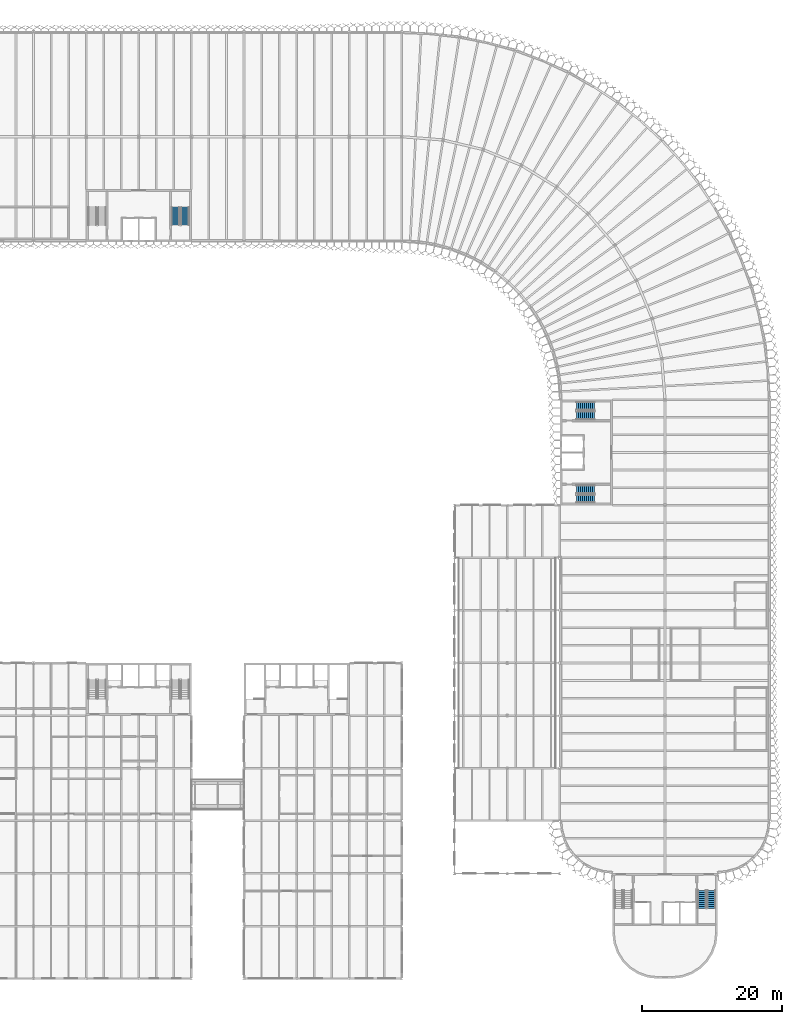
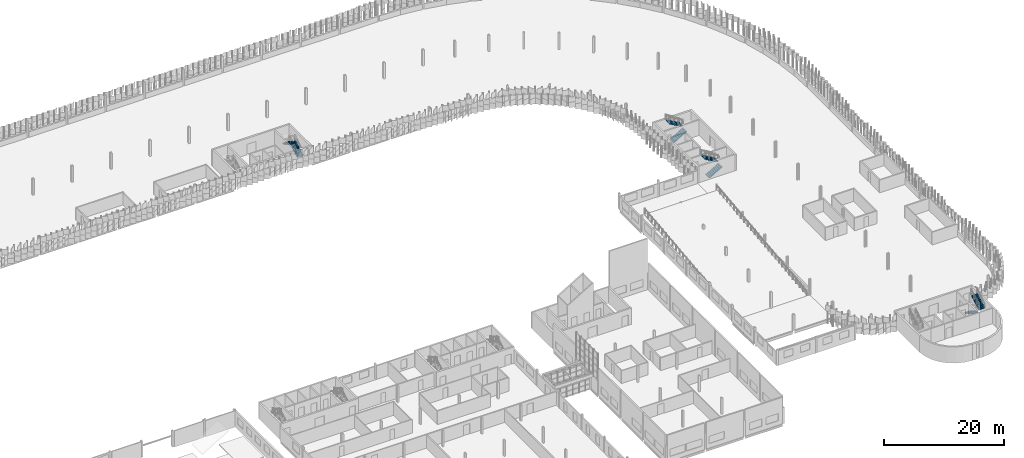
# One storey, part 62 of 198: 8 stair flights, 4 elements without a shape of their own.
"""IFC4 building model written with IfcOpenShell, lengths in metres."""

from ifc_helpers import new_model, si_unit, direction, frame, origin, place, context, subcontext, project, spatial, polyline, outline, extrude, material, type_object, element, aggregate, save


model = new_model("IFC4")

# Units and contexts
model_context = context("Model", 3, precision=1e-05, world=origin(), true_north=direction((0.0, 1.0)))
body_context = subcontext(model_context, "Body", "Model", "MODEL_VIEW")
ifc_project = project(units=[si_unit("LENGTHUNIT", "METRE"), si_unit("AREAUNIT", "SQUARE_METRE"), si_unit("VOLUMEUNIT", "CUBIC_METRE"), si_unit("PLANEANGLEUNIT", "RADIAN"), si_unit("MASSUNIT", "GRAM", prefix="KILO")], contexts=[model_context])

# Site, building, storey
site_placement = place(None, origin())
site = spatial("IfcSite", under=ifc_project, at=site_placement, CompositionType="ELEMENT")
building_placement = place(site_placement, origin())
building = spatial("IfcBuilding", under=site, at=building_placement, Name="Parallax Yard Mobility Hub", CompositionType="ELEMENT")
storey_placement = place(building_placement, frame((0.0, 0.0, 6.60009765625)))
storey = spatial("IfcBuildingStorey", under=building, at=storey_placement, Name="L02", CompositionType="ELEMENT", Elevation=6.60009765625)

# Stair, stair flights
ifc_material = material(Name="Concrete fc' 35 MPa", Category="concrete")
stair_type = type_object("IfcStairType", Name="Exit stair 1200 dog-leg", PredefinedType="HALF_TURN_STAIR", material=ifc_material)
stair_1_placement = place(storey_placement, origin())
stair_1 = element("IfcStair", 1, at=stair_1_placement, inside=storey, type_object=stair_type, Name="L02 Exit stair 1 of core C-N2", PredefinedType="HALF_TURN_STAIR")
stair_flight_type = type_object("IfcStairFlightType", Name="Exit stair flight 1200", PredefinedType="STRAIGHT", material=ifc_material)
stair_flight_1_placement = place(storey_placement, frame((141.60009765625, 114.89990234375, 0.0), z_axis=(0.0, 0.0, 1.0), x_axis=(0.0, 1.0, 0.0)))
stair_flight_1 = element("IfcStairFlight", 2, at=stair_flight_1_placement, type_object=stair_flight_type, Name="ST5 flight 1", NumberOfRisers=10, NumberOfTreads=9, PredefinedType="STRAIGHT", RiserHeight=0.165, TreadLength=0.285, context=body_context, shape_type="SweptSolid", body=[
    extrude(outline(polyline([(0.0, 0.0), (0.0, 0.1650390625), (0.284912109375, 0.1650390625), (0.284912109375, 0.330078125), (0.570068359375, 0.330078125), (0.570068359375, 0.4951171875), (0.85498046875, 0.4951171875), (0.85498046875, 0.659912109375), (1.139892578125, 0.659912109375), (1.139892578125, 0.824951171875), (1.425048828125, 0.824951171875), (1.425048828125, 0.989990234375), (1.7099609375, 0.989990234375), (1.7099609375, 1.155029296875), (1.9951171875, 1.155029296875), (1.9951171875, 1.320068359375), (2.280029296875, 1.320068359375), (2.280029296875, 1.485107421875), (2.56494140625, 1.485107421875), (2.56494140625, 1.64990234375), (2.56494140625, 1.311767578125), (0.299072265625, 0.0), (0.0, 0.0)])), frame((0.0, 0.60009765625, 0.0), z_axis=(0.0, -1.0, 0.0), x_axis=(1.0, 0.0, 0.0)), (0.0, 0.0, 1.0), 1.199951171875),
])
stair_flight_2_placement = place(storey_placement, frame((140.25, 117.465087890625, 1.64990234375), z_axis=(0.0, 0.0, 1.0), x_axis=(0.0, -1.0, 0.0)))
stair_flight_2 = element("IfcStairFlight", 3, at=stair_flight_2_placement, type_object=stair_flight_type, Name="ST5 flight 2", NumberOfRisers=10, NumberOfTreads=9, PredefinedType="STRAIGHT", RiserHeight=0.165, TreadLength=0.285, context=body_context, shape_type="SweptSolid", body=[
    extrude(outline(polyline([(0.0, 0.0), (0.0, 0.1650390625), (0.284912109375, 0.1650390625), (0.284912109375, 0.330078125), (0.570068359375, 0.330078125), (0.570068359375, 0.4951171875), (0.85498046875, 0.4951171875), (0.85498046875, 0.659912109375), (1.139892578125, 0.659912109375), (1.139892578125, 0.824951171875), (1.425048828125, 0.824951171875), (1.425048828125, 0.989990234375), (1.7099609375, 0.989990234375), (1.7099609375, 1.155029296875), (1.9951171875, 1.155029296875), (1.9951171875, 1.320068359375), (2.280029296875, 1.320068359375), (2.280029296875, 1.485107421875), (2.56494140625, 1.485107421875), (2.56494140625, 1.64990234375), (2.56494140625, 1.311767578125), (0.299072265625, 0.0), (0.0, 0.0)])), frame((0.0, 0.60009765625, 0.0), z_axis=(0.0, -1.0, 0.0), x_axis=(1.0, 0.0, 0.0)), (0.0, 0.0, 1.0), 1.199951171875),
])
aggregate(stair_1, [stair_flight_1, stair_flight_2])

stair_2_placement = place(storey_placement, origin())
stair_2 = element("IfcStair", 4, at=stair_2_placement, inside=storey, type_object=stair_type, Name="L02 Exit stair 1 of core C-E", PredefinedType="HALF_TURN_STAIR")
stair_flight_3_placement = place(storey_placement, frame((197.39990234375, 75.89990234375, 0.0), z_axis=(0.0, 0.0, 1.0), x_axis=(1.0, 0.0, 0.0)))
stair_flight_3 = element("IfcStairFlight", 5, at=stair_flight_3_placement, type_object=stair_flight_type, Name="ST7 flight 1", NumberOfRisers=10, NumberOfTreads=9, PredefinedType="STRAIGHT", RiserHeight=0.165, TreadLength=0.285, context=body_context, shape_type="SweptSolid", body=[
    extrude(outline(polyline([(0.0, 0.0), (0.0, 0.1650390625), (0.284912109375, 0.1650390625), (0.284912109375, 0.330078125), (0.570068359375, 0.330078125), (0.570068359375, 0.4951171875), (0.85498046875, 0.4951171875), (0.85498046875, 0.659912109375), (1.139892578125, 0.659912109375), (1.139892578125, 0.824951171875), (1.425048828125, 0.824951171875), (1.425048828125, 0.989990234375), (1.7099609375, 0.989990234375), (1.7099609375, 1.155029296875), (1.9951171875, 1.155029296875), (1.9951171875, 1.320068359375), (2.280029296875, 1.320068359375), (2.280029296875, 1.485107421875), (2.56494140625, 1.485107421875), (2.56494140625, 1.64990234375), (2.56494140625, 1.311767578125), (0.299072265625, 0.0), (0.0, 0.0)])), frame((0.0, 0.60009765625, 0.0), z_axis=(0.0, -1.0, 0.0), x_axis=(1.0, 0.0, 0.0)), (0.0, 0.0, 1.0), 1.199951171875),
])
stair_flight_4_placement = place(storey_placement, frame((199.965087890625, 77.25, 1.64990234375), z_axis=(0.0, 0.0, 1.0), x_axis=(-1.0, 0.0, 0.0)))
stair_flight_4 = element("IfcStairFlight", 6, at=stair_flight_4_placement, type_object=stair_flight_type, Name="ST7 flight 2", NumberOfRisers=10, NumberOfTreads=9, PredefinedType="STRAIGHT", RiserHeight=0.165, TreadLength=0.285, context=body_context, shape_type="SweptSolid", body=[
    extrude(outline(polyline([(0.0, 0.0), (0.0, 0.1650390625), (0.284912109375, 0.1650390625), (0.284912109375, 0.330078125), (0.570068359375, 0.330078125), (0.570068359375, 0.4951171875), (0.85498046875, 0.4951171875), (0.85498046875, 0.659912109375), (1.139892578125, 0.659912109375), (1.139892578125, 0.824951171875), (1.425048828125, 0.824951171875), (1.425048828125, 0.989990234375), (1.7099609375, 0.989990234375), (1.7099609375, 1.155029296875), (1.9951171875, 1.155029296875), (1.9951171875, 1.320068359375), (2.280029296875, 1.320068359375), (2.280029296875, 1.485107421875), (2.56494140625, 1.485107421875), (2.56494140625, 1.64990234375), (2.56494140625, 1.311767578125), (0.299072265625, 0.0), (0.0, 0.0)])), frame((0.0, 0.60009765625, 0.0), z_axis=(0.0, -1.0, 0.0), x_axis=(1.0, 0.0, 0.0)), (0.0, 0.0, 1.0), 1.199951171875),
])
aggregate(stair_2, [stair_flight_3, stair_flight_4])

stair_3_placement = place(storey_placement, origin())
stair_3 = element("IfcStair", 7, at=stair_3_placement, inside=storey, type_object=stair_type, Name="L02 Exit stair 2 of core C-E", PredefinedType="HALF_TURN_STAIR")
stair_flight_5_placement = place(storey_placement, frame((197.39990234375, 87.75, 0.0), z_axis=(0.0, 0.0, 1.0), x_axis=(1.0, 0.0, 0.0)))
stair_flight_5 = element("IfcStairFlight", 8, at=stair_flight_5_placement, type_object=stair_flight_type, Name="ST8 flight 1", NumberOfRisers=10, NumberOfTreads=9, PredefinedType="STRAIGHT", RiserHeight=0.165, TreadLength=0.285, context=body_context, shape_type="SweptSolid", body=[
    extrude(outline(polyline([(0.0, 0.0), (0.0, 0.1650390625), (0.284912109375, 0.1650390625), (0.284912109375, 0.330078125), (0.570068359375, 0.330078125), (0.570068359375, 0.4951171875), (0.85498046875, 0.4951171875), (0.85498046875, 0.659912109375), (1.139892578125, 0.659912109375), (1.139892578125, 0.824951171875), (1.425048828125, 0.824951171875), (1.425048828125, 0.989990234375), (1.7099609375, 0.989990234375), (1.7099609375, 1.155029296875), (1.9951171875, 1.155029296875), (1.9951171875, 1.320068359375), (2.280029296875, 1.320068359375), (2.280029296875, 1.485107421875), (2.56494140625, 1.485107421875), (2.56494140625, 1.64990234375), (2.56494140625, 1.311767578125), (0.299072265625, 0.0), (0.0, 0.0)])), frame((0.0, 0.60009765625, 0.0), z_axis=(0.0, -1.0, 0.0), x_axis=(1.0, 0.0, 0.0)), (0.0, 0.0, 1.0), 1.199951171875),
])
stair_flight_6_placement = place(storey_placement, frame((199.965087890625, 89.10009765625, 1.64990234375), z_axis=(0.0, 0.0, 1.0), x_axis=(-1.0, 0.0, 0.0)))
stair_flight_6 = element("IfcStairFlight", 9, at=stair_flight_6_placement, type_object=stair_flight_type, Name="ST8 flight 2", NumberOfRisers=10, NumberOfTreads=9, PredefinedType="STRAIGHT", RiserHeight=0.165, TreadLength=0.285, context=body_context, shape_type="SweptSolid", body=[
    extrude(outline(polyline([(0.0, 0.0), (0.0, 0.1650390625), (0.284912109375, 0.1650390625), (0.284912109375, 0.330078125), (0.570068359375, 0.330078125), (0.570068359375, 0.4951171875), (0.85498046875, 0.4951171875), (0.85498046875, 0.659912109375), (1.139892578125, 0.659912109375), (1.139892578125, 0.824951171875), (1.425048828125, 0.824951171875), (1.425048828125, 0.989990234375), (1.7099609375, 0.989990234375), (1.7099609375, 1.155029296875), (1.9951171875, 1.155029296875), (1.9951171875, 1.320068359375), (2.280029296875, 1.320068359375), (2.280029296875, 1.485107421875), (2.56494140625, 1.485107421875), (2.56494140625, 1.64990234375), (2.56494140625, 1.311767578125), (0.299072265625, 0.0), (0.0, 0.0)])), frame((0.0, 0.60009765625, 0.0), z_axis=(0.0, -1.0, 0.0), x_axis=(1.0, 0.0, 0.0)), (0.0, 0.0, 1.0), 1.199951171875),
])
aggregate(stair_3, [stair_flight_5, stair_flight_6])

stair_4_placement = place(storey_placement, origin())
stair_4 = element("IfcStair", 10, at=stair_4_placement, inside=storey, type_object=stair_type, Name="L02 Exit stair 1 of core C-S", PredefinedType="HALF_TURN_STAIR")
stair_flight_7_placement = place(storey_placement, frame((215.25, 20.10009765625, 0.0), z_axis=(0.0, 0.0, 1.0), x_axis=(0.0, -1.0, 0.0)))
stair_flight_7 = element("IfcStairFlight", 11, at=stair_flight_7_placement, type_object=stair_flight_type, Name="ST9 flight 1", NumberOfRisers=10, NumberOfTreads=9, PredefinedType="STRAIGHT", RiserHeight=0.165, TreadLength=0.285, context=body_context, shape_type="SweptSolid", body=[
    extrude(outline(polyline([(0.0, 0.0), (0.0, 0.1650390625), (0.284912109375, 0.1650390625), (0.284912109375, 0.330078125), (0.570068359375, 0.330078125), (0.570068359375, 0.4951171875), (0.85498046875, 0.4951171875), (0.85498046875, 0.659912109375), (1.139892578125, 0.659912109375), (1.139892578125, 0.824951171875), (1.425048828125, 0.824951171875), (1.425048828125, 0.989990234375), (1.7099609375, 0.989990234375), (1.7099609375, 1.155029296875), (1.9951171875, 1.155029296875), (1.9951171875, 1.320068359375), (2.280029296875, 1.320068359375), (2.280029296875, 1.485107421875), (2.56494140625, 1.485107421875), (2.56494140625, 1.64990234375), (2.56494140625, 1.311767578125), (0.299072265625, 0.0), (0.0, 0.0)])), frame((0.0, 0.60009765625, 0.0), z_axis=(0.0, -1.0, 0.0), x_axis=(1.0, 0.0, 0.0)), (0.0, 0.0, 1.0), 1.199951171875),
])
stair_flight_8_placement = place(storey_placement, frame((216.60009765625, 17.534912109375, 1.64990234375), z_axis=(0.0, 0.0, 1.0), x_axis=(0.0, 1.0, 0.0)))
stair_flight_8 = element("IfcStairFlight", 12, at=stair_flight_8_placement, type_object=stair_flight_type, Name="ST9 flight 2", NumberOfRisers=10, NumberOfTreads=9, PredefinedType="STRAIGHT", RiserHeight=0.165, TreadLength=0.285, context=body_context, shape_type="SweptSolid", body=[
    extrude(outline(polyline([(0.0, 0.0), (0.0, 0.1650390625), (0.284912109375, 0.1650390625), (0.284912109375, 0.330078125), (0.570068359375, 0.330078125), (0.570068359375, 0.4951171875), (0.85498046875, 0.4951171875), (0.85498046875, 0.659912109375), (1.139892578125, 0.659912109375), (1.139892578125, 0.824951171875), (1.425048828125, 0.824951171875), (1.425048828125, 0.989990234375), (1.7099609375, 0.989990234375), (1.7099609375, 1.155029296875), (1.9951171875, 1.155029296875), (1.9951171875, 1.320068359375), (2.280029296875, 1.320068359375), (2.280029296875, 1.485107421875), (2.56494140625, 1.485107421875), (2.56494140625, 1.64990234375), (2.56494140625, 1.311767578125), (0.299072265625, 0.0), (0.0, 0.0)])), frame((0.0, 0.60009765625, 0.0), z_axis=(0.0, -1.0, 0.0), x_axis=(1.0, 0.0, 0.0)), (0.0, 0.0, 1.0), 1.199951171875),
])
aggregate(stair_4, [stair_flight_7, stair_flight_8])

save(model, "model.ifc")
